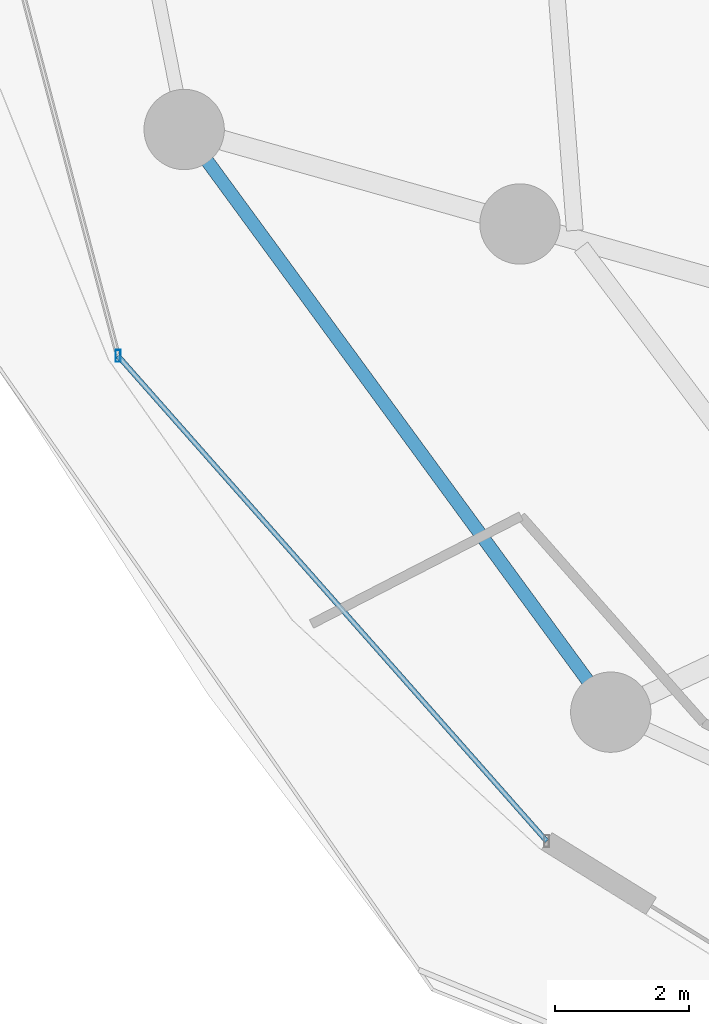
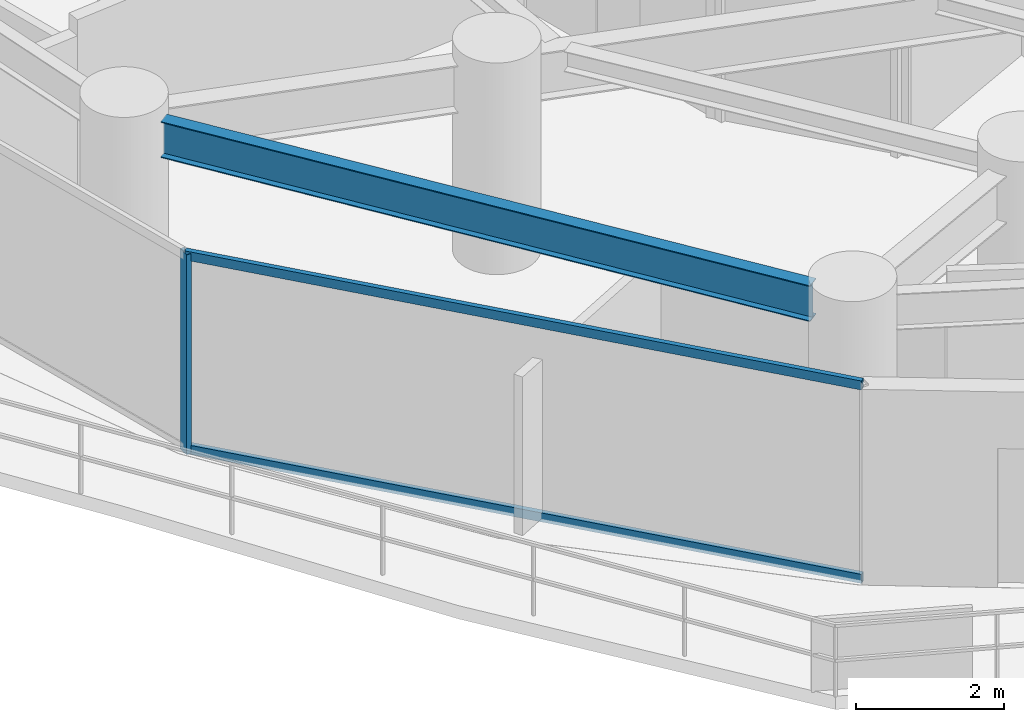
# One storey, part 3 of 30: 3 members, 1 beam, 1 element without a shape of its own.
"""IFC4 building model written with IfcOpenShell, lengths in metres."""

from ifc_helpers import new_model, si_unit, direction, frame, origin, origin_2d, place, context, subcontext, project, spatial, hollow_rectangle, i_section, extrude, material, material_profile, profile_set, type_object, element, aggregate, save


model = new_model("IFC4")

# Units and contexts
model_context = context("Model", 3, precision=1e-05, world=origin(), true_north=direction((0.0, 1.0)))
body_context = subcontext(model_context, "Body", "Model", "MODEL_VIEW")
ifc_project = project(units=[si_unit("LENGTHUNIT", "METRE"), si_unit("AREAUNIT", "SQUARE_METRE"), si_unit("VOLUMEUNIT", "CUBIC_METRE"), si_unit("PLANEANGLEUNIT", "RADIAN"), si_unit("MASSUNIT", "GRAM", prefix="KILO")], contexts=[model_context])

# Site, building, storey
site_placement = place(None, origin())
site = spatial("IfcSite", under=ifc_project, at=site_placement, CompositionType="ELEMENT")
building_placement = place(site_placement, origin())
building = spatial("IfcBuilding", under=site, at=building_placement, Name="Vorneva Point Tower", CompositionType="ELEMENT")
storey_placement = place(building_placement, frame((0.0, 0.0, 55.5)))
storey = spatial("IfcBuildingStorey", under=building, at=storey_placement, Name="L14", CompositionType="ELEMENT", Elevation=55.5)

# Beam
ifc_material_1 = material(Name="Steel S355", Category="steel")
ifc_material_profile_1 = material_profile(ifc_material_1, i_section(OverallWidth=0.198974609375, OverallDepth=0.595947265625, WebThickness=0.010009765625, FlangeThickness=0.014892578125, at=origin_2d()), Name="60B1")
ifc_profile_set_1 = profile_set([ifc_material_profile_1], Name="Steel S355")
beam_type = type_object("IfcBeamType", Name="BM-SPN-60B1", PredefinedType="SPANDREL", material=ifc_profile_set_1)
beam_placement = place(storey_placement, frame((12.03369140625, 20.357666015625, 2.94189453125), z_axis=(0.590713179556, -0.806881614302, 0.0), x_axis=(0.806881614302, 0.590713179556, 0.0)))
element("IfcBeam", 1, at=beam_placement, inside=storey, type_object=beam_type, Name="L14 Perimeter Spandrel Ring Beam 10", PredefinedType="SPANDREL", context=body_context, shape_type="SweptSolid", body=[
    extrude(i_section(OverallWidth=0.198974609375, OverallDepth=0.595947265625, WebThickness=0.010009765625, FlangeThickness=0.014892578125, at=origin_2d()), origin(), (0.0, 0.0, 1.0), 9.619140625),
])

# Curtain wall, members
ifc_material_2 = material(Name="Pale anodised aluminium", Category="aluminium")
curtain_wall_type = type_object("IfcCurtainWallType", Name="CW-HTL-SYS", PredefinedType="NOTDEFINED", material=ifc_material_2)
curtain_wall_placement = place(storey_placement, origin())
curtain_wall = element("IfcCurtainWall", 2, at=curtain_wall_placement, inside=storey, type_object=curtain_wall_type, Name="L14 Unitised Curtain Wall CW-L14-R03", PredefinedType="NOTDEFINED")
ifc_material_profile_2 = material_profile(ifc_material_2, hollow_rectangle(XDim=0.074951171875, YDim=0.179931640625, WallThickness=0.00390625, at=origin_2d()), Name="AL-MUL 180x75x4")
ifc_profile_set_2 = profile_set([ifc_material_profile_2], Name="Pale anodised aluminium")
member_type_1 = type_object("IfcMemberType", Name="CW-MUL-180", PredefinedType="MULLION", material=ifc_profile_set_2)
member_1_placement = place(storey_placement, frame((10.699462890625, 17.447021484375, -0.0400390625), z_axis=(0.0, 0.0, 1.0), x_axis=(1.0, 0.0, 0.0)))
member_1 = element("IfcMember", 3, at=member_1_placement, type_object=member_type_1, Name="CW-L14-R03 Mullion 04", PredefinedType="MULLION", context=body_context, shape_type="SweptSolid", body=[
    extrude(hollow_rectangle(XDim=0.074951171875, YDim=0.179931640625, WallThickness=0.00390625, at=origin_2d()), origin(), (0.0, 0.0, 1.0), 3.31005859375),
])
ifc_material_profile_3 = material_profile(ifc_material_2, hollow_rectangle(XDim=0.074951171875, YDim=0.14990234375, WallThickness=0.00390625, at=origin_2d()), Name="AL-TRN 150x75x4")
ifc_profile_set_3 = profile_set([ifc_material_profile_3], Name="Pale anodised aluminium")
member_type_2 = type_object("IfcMemberType", Name="CW-TRN-150", PredefinedType="USERDEFINED", material=ifc_profile_set_3)
member_2_placement = place(storey_placement, frame((10.699462890625, 17.447021484375, 0.02001953125), z_axis=(0.662075539029, -0.749437109182, 0.0), x_axis=(0.749437109182, 0.662075539029, 0.0)))
member_2 = element("IfcMember", 4, at=member_2_placement, type_object=member_type_2, Name="CW-L14-R03 Transom 04.1", ObjectType="TRANSOM", PredefinedType="USERDEFINED", context=body_context, shape_type="SweptSolid", body=[
    extrude(hollow_rectangle(XDim=0.074951171875, YDim=0.14990234375, WallThickness=0.00390625, at=origin_2d()), origin(), (0.0, 0.0, 1.0), 9.6748046875),
])
member_3_placement = place(storey_placement, frame((10.699462890625, 17.447021484375, 3.219970703125), z_axis=(0.662075539029, -0.749437109182, 0.0), x_axis=(0.749437109182, 0.662075539029, 0.0)))
member_3 = element("IfcMember", 5, at=member_3_placement, type_object=member_type_2, Name="CW-L14-R03 Transom 04.2", ObjectType="TRANSOM", PredefinedType="USERDEFINED", context=body_context, shape_type="SweptSolid", body=[
    extrude(hollow_rectangle(XDim=0.074951171875, YDim=0.14990234375, WallThickness=0.00390625, at=origin_2d()), origin(), (0.0, 0.0, 1.0), 9.6748046875),
])
aggregate(curtain_wall, [member_1, member_2, member_3])

save(model, "model.ifc")
